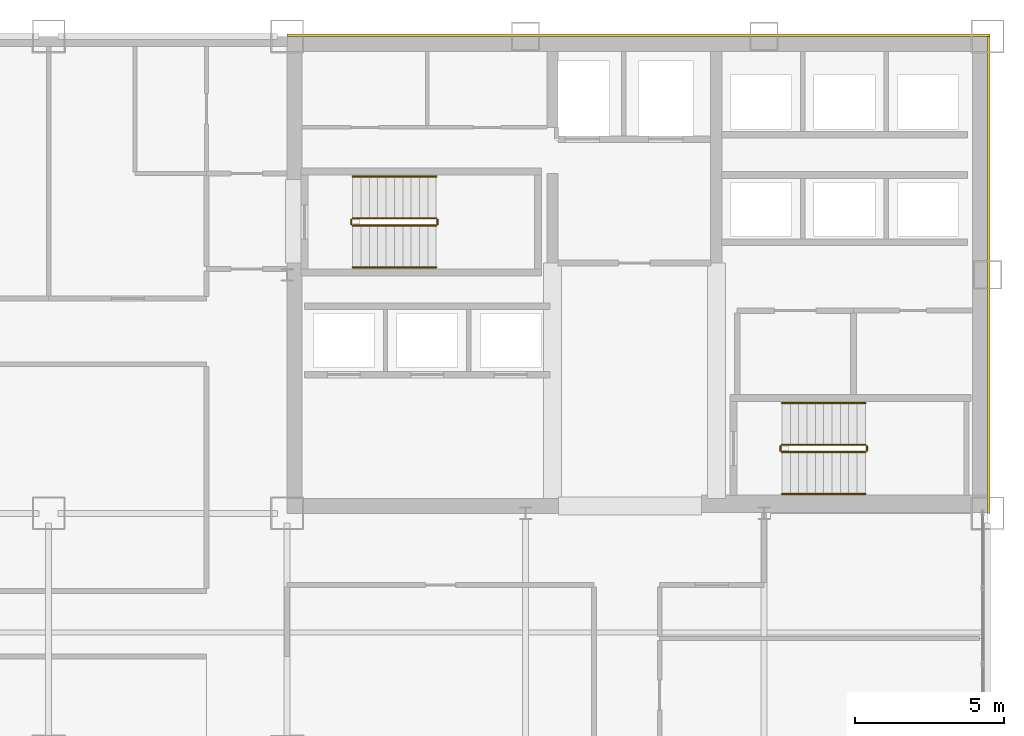
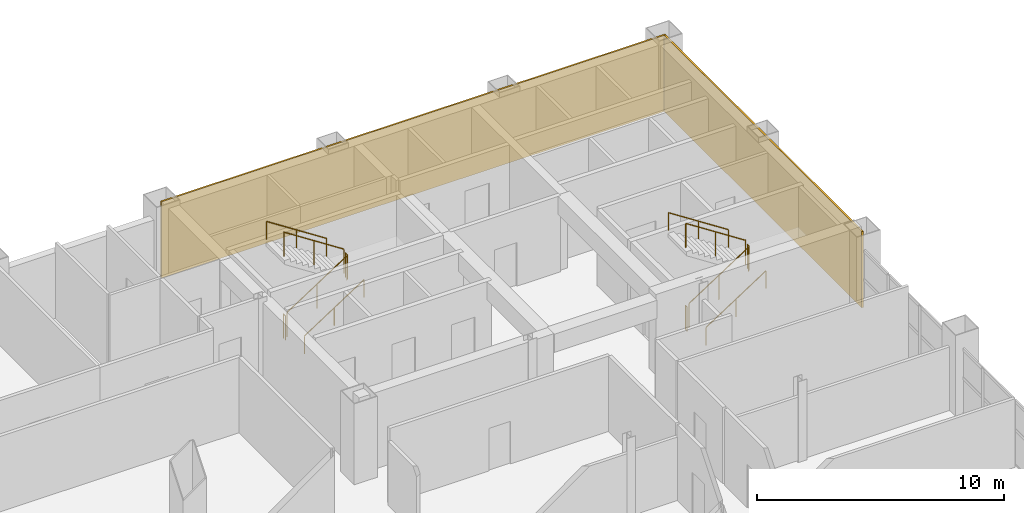
# One storey, part 16 of 16: 12 railings, 2 coverings.
"""IFC4 building model written with IfcOpenShell, lengths in metres."""

from ifc_helpers import new_model, si_unit, direction, frame, origin, origin_2d, place, context, subcontext, project, spatial, rectangle, circle, extrude, material, layer, layer_set, type_object, element, save


model = new_model("IFC4")

# Units and contexts
model_context = context("Model", 3, precision=1e-05, world=origin(), true_north=direction((0.0, 1.0)))
body_context = subcontext(model_context, "Body", "Model", "MODEL_VIEW")
ifc_project = project(units=[si_unit("LENGTHUNIT", "METRE"), si_unit("AREAUNIT", "SQUARE_METRE"), si_unit("VOLUMEUNIT", "CUBIC_METRE"), si_unit("PLANEANGLEUNIT", "RADIAN"), si_unit("MASSUNIT", "GRAM", prefix="KILO")], contexts=[model_context])

# Site, building, storey
site_placement = place(None, origin())
site = spatial("IfcSite", under=ifc_project, at=site_placement, CompositionType="ELEMENT")
building_placement = place(site_placement, origin())
building = spatial("IfcBuilding", under=site, at=building_placement, Name="Qianrong Seaharbour Tower", CompositionType="ELEMENT")
storey_placement = place(building_placement, frame((0.0, 0.0, 119.0)))
storey = spatial("IfcBuildingStorey", under=building, at=storey_placement, Name="L28", CompositionType="ELEMENT", Elevation=119.0)

# Coverings
ifc_material_1 = material(Name="Unitised red brick cladding on Precast concrete C45/55", Category="masonry")
ifc_layer = layer(ifc_material_1, 0.080078125)
ifc_layer_set = layer_set([ifc_layer], Name="Unitised red brick cladding on Precast concrete C45/55")
covering_type = type_object("IfcCoveringType", Name="COV-CLAD-RED-BRICK-80", PredefinedType="CLADDING", material=ifc_layer_set)
covering_1_placement = place(storey_placement, frame((52.2900390625, 52.0400390625, 0.0), z_axis=(0.0, 0.0, 1.0), x_axis=(1.0, 0.0, 0.0)))
element("IfcCovering", 1, at=covering_1_placement, inside=storey, type_object=covering_type, Name="L28 North Core Brick Veneer Cladding", PredefinedType="CLADDING", context=body_context, shape_type="SweptSolid", body=[
    extrude(rectangle(XDim=23.580078125, YDim=0.080078125, at=origin_2d()), origin(), (0.0, 0.0, 1.0), 3.764892578125),
])
covering_2_placement = place(storey_placement, frame((64.0400390625, 44.0, 0.0), z_axis=(0.0, 0.0, 1.0), x_axis=(1.0, 0.0, 0.0)))
element("IfcCovering", 2, at=covering_2_placement, inside=storey, type_object=covering_type, Name="L28 East Core Brick Veneer Cladding", PredefinedType="CLADDING", context=body_context, shape_type="SweptSolid", body=[
    extrude(rectangle(XDim=0.080078125, YDim=16.0, at=origin_2d()), origin(), (0.0, 0.0, 1.0), 3.764892578125),
])

# Railings
ifc_material_2 = material(Name="Galvanized painted steel SN400B stair guard", Category="steel")
railing_type_1 = type_object("IfcRailingType", Name="RAIL-STAIR-GUARD-1220", PredefinedType="GUARDRAIL", material=ifc_material_2)
railing_1_placement = place(storey_placement, frame((42.699951171875, 45.64990234375, 0.181884765625)))
element("IfcRailing", 3, at=railing_1_placement, inside=storey, type_object=railing_type_1, Name="L28 ST-1 stair guard 1", PredefinedType="GUARDRAIL", context=body_context, shape_type="SweptSolid", body=[
    extrude(circle(Radius=0.02392578125, at=origin_2d()), frame((0.0, 0.0, 1.19580078125), z_axis=(0.838705829183, 0.0, 0.544584733623), x_axis=(0.0, 1.0, 0.0)), (0.0, 0.0, 1.0), 3.338623046875),
    extrude(circle(Radius=0.02099609375, at=origin_2d()), origin(), (0.0, 0.0, 1.0), 1.171875),
    extrude(circle(Radius=0.02099609375, at=origin_2d()), frame((1.39990234375, 0.0, 0.9091796875)), (0.0, 0.0, 1.0), 1.171875),
    extrude(circle(Radius=0.02099609375, at=origin_2d()), frame((2.800048828125, 0.0, 1.818115234375)), (0.0, 0.0, 1.0), 1.171875),
])
railing_2_placement = place(storey_placement, frame((45.550048828125, 45.699951171875, 2.0)))
element("IfcRailing", 4, at=railing_2_placement, inside=storey, type_object=railing_type_1, Name="L28 ST-1 stair guard 2", PredefinedType="GUARDRAIL", context=body_context, shape_type="SweptSolid", body=[
    extrude(circle(Radius=0.02392578125, at=origin_2d()), frame((0.0, 0.0, 1.19580078125), z_axis=(0.0, 1.0, 0.0), x_axis=(-1.0, 0.0, 0.0)), (0.0, 0.0, 1.0), 0.150146484375),
    extrude(circle(Radius=0.02099609375, at=origin_2d()), origin(), (0.0, 0.0, 1.0), 1.171875),
    extrude(circle(Radius=0.02099609375, at=origin_2d()), frame((0.0, 0.150146484375, 0.0)), (0.0, 0.0, 1.0), 1.171875),
])
railing_3_placement = place(storey_placement, frame((45.5, 45.89990234375, 2.181884765625)))
element("IfcRailing", 5, at=railing_3_placement, inside=storey, type_object=railing_type_1, Name="L28 ST-1 stair guard 3", PredefinedType="GUARDRAIL", context=body_context, shape_type="SweptSolid", body=[
    extrude(circle(Radius=0.02392578125, at=origin_2d()), frame((0.0, 0.0, 1.19580078125), z_axis=(-0.838705829183, 0.0, 0.544584733623), x_axis=(0.0, -1.0, 0.0)), (0.0, 0.0, 1.0), 3.338623046875),
    extrude(circle(Radius=0.02099609375, at=origin_2d()), origin(), (0.0, 0.0, 1.0), 1.171875),
    extrude(circle(Radius=0.02099609375, at=origin_2d()), frame((-1.39990234375, 0.0, 0.9091796875)), (0.0, 0.0, 1.0), 1.171875),
    extrude(circle(Radius=0.02099609375, at=origin_2d()), frame((-2.800048828125, 0.0, 1.818115234375)), (0.0, 0.0, 1.0), 1.171875),
])
railing_4_placement = place(storey_placement, frame((42.64990234375, 45.699951171875, 0.0)))
element("IfcRailing", 6, at=railing_4_placement, inside=storey, type_object=railing_type_1, Name="L28 ST-1 stair guard 4", PredefinedType="GUARDRAIL", context=body_context, shape_type="SweptSolid", body=[
    extrude(circle(Radius=0.02392578125, at=origin_2d()), frame((0.0, 0.0, 1.19580078125), z_axis=(0.0, 1.0, 0.0), x_axis=(-1.0, 0.0, 0.0)), (0.0, 0.0, 1.0), 0.150146484375),
    extrude(circle(Radius=0.02099609375, at=origin_2d()), origin(), (0.0, 0.0, 1.0), 1.171875),
    extrude(circle(Radius=0.02099609375, at=origin_2d()), frame((0.0, 0.150146484375, 0.0)), (0.0, 0.0, 1.0), 1.171875),
])
railing_5_placement = place(storey_placement, frame((57.10009765625, 38.050048828125, 0.181884765625)))
element("IfcRailing", 7, at=railing_5_placement, inside=storey, type_object=railing_type_1, Name="L28 ST-2 stair guard 1", PredefinedType="GUARDRAIL", context=body_context, shape_type="SweptSolid", body=[
    extrude(circle(Radius=0.02392578125, at=origin_2d()), frame((0.0, 0.0, 1.19580078125), z_axis=(0.83868413941, 0.0, 0.544618136222), x_axis=(0.0, 1.0, 0.0)), (0.0, 0.0, 1.0), 3.33837890625),
    extrude(circle(Radius=0.02099609375, at=origin_2d()), origin(), (0.0, 0.0, 1.0), 1.171875),
    extrude(circle(Radius=0.02099609375, at=origin_2d()), frame((1.39990234375, 0.0, 0.9091796875)), (0.0, 0.0, 1.0), 1.171875),
    extrude(circle(Radius=0.02099609375, at=origin_2d()), frame((2.7998046875, 0.0, 1.818115234375)), (0.0, 0.0, 1.0), 1.171875),
])
railing_6_placement = place(storey_placement, frame((59.949951171875, 38.10009765625, 2.0)))
element("IfcRailing", 8, at=railing_6_placement, inside=storey, type_object=railing_type_1, Name="L28 ST-2 stair guard 2", PredefinedType="GUARDRAIL", context=body_context, shape_type="SweptSolid", body=[
    extrude(circle(Radius=0.02392578125, at=origin_2d()), frame((0.0, 0.0, 1.19580078125), z_axis=(0.0, 1.0, 0.0), x_axis=(-1.0, 0.0, 0.0)), (0.0, 0.0, 1.0), 0.14990234375),
    extrude(circle(Radius=0.02099609375, at=origin_2d()), origin(), (0.0, 0.0, 1.0), 1.171875),
    extrude(circle(Radius=0.02099609375, at=origin_2d()), frame((0.0, 0.14990234375, 0.0)), (0.0, 0.0, 1.0), 1.171875),
])
railing_7_placement = place(storey_placement, frame((59.89990234375, 38.300048828125, 2.181884765625)))
element("IfcRailing", 9, at=railing_7_placement, inside=storey, type_object=railing_type_1, Name="L28 ST-2 stair guard 3", PredefinedType="GUARDRAIL", context=body_context, shape_type="SweptSolid", body=[
    extrude(circle(Radius=0.02392578125, at=origin_2d()), frame((0.0, 0.0, 1.19580078125), z_axis=(-0.83868413941, 0.0, 0.544618136222), x_axis=(0.0, -1.0, 0.0)), (0.0, 0.0, 1.0), 3.33837890625),
    extrude(circle(Radius=0.02099609375, at=origin_2d()), origin(), (0.0, 0.0, 1.0), 1.171875),
    extrude(circle(Radius=0.02099609375, at=origin_2d()), frame((-1.39990234375, 0.0, 0.9091796875)), (0.0, 0.0, 1.0), 1.171875),
    extrude(circle(Radius=0.02099609375, at=origin_2d()), frame((-2.7998046875, 0.0, 1.818115234375)), (0.0, 0.0, 1.0), 1.171875),
])
railing_8_placement = place(storey_placement, frame((57.050048828125, 38.10009765625, 0.0)))
element("IfcRailing", 10, at=railing_8_placement, inside=storey, type_object=railing_type_1, Name="L28 ST-2 stair guard 4", PredefinedType="GUARDRAIL", context=body_context, shape_type="SweptSolid", body=[
    extrude(circle(Radius=0.02392578125, at=origin_2d()), frame((0.0, 0.0, 1.19580078125), z_axis=(0.0, 1.0, 0.0), x_axis=(-1.0, 0.0, 0.0)), (0.0, 0.0, 1.0), 0.14990234375),
    extrude(circle(Radius=0.02099609375, at=origin_2d()), origin(), (0.0, 0.0, 1.0), 1.171875),
    extrude(circle(Radius=0.02099609375, at=origin_2d()), frame((0.0, 0.14990234375, 0.0)), (0.0, 0.0, 1.0), 1.171875),
])
ifc_material_3 = material(Name="Stainless steel SUS316L continuous handrail", Category="steel")
railing_type_2 = type_object("IfcRailingType", Name="RAIL-STAIR-HANDRAIL-900", PredefinedType="HANDRAIL", material=ifc_material_3)
railing_9_placement = place(storey_placement, frame((42.699951171875, 44.25, 0.181884765625)))
element("IfcRailing", 11, at=railing_9_placement, inside=storey, type_object=railing_type_2, Name="L28 ST-1 stair handrail 1", PredefinedType="HANDRAIL", context=body_context, shape_type="SweptSolid", body=[
    extrude(circle(Radius=0.02392578125, at=origin_2d()), frame((0.0, 0.0, 0.8759765625), z_axis=(0.838705829183, 0.0, 0.544584733623), x_axis=(0.0, 1.0, 0.0)), (0.0, 0.0, 1.0), 3.338623046875),
    extrude(circle(Radius=0.02099609375, at=origin_2d()), origin(), (0.0, 0.0, 1.0), 0.851806640625),
    extrude(circle(Radius=0.02099609375, at=origin_2d()), frame((1.39990234375, 0.0, 0.9091796875)), (0.0, 0.0, 1.0), 0.851806640625),
    extrude(circle(Radius=0.02099609375, at=origin_2d()), frame((2.800048828125, 0.0, 1.818115234375)), (0.0, 0.0, 1.0), 0.851806640625),
])
railing_10_placement = place(storey_placement, frame((45.5, 47.300048828125, 2.181884765625)))
element("IfcRailing", 12, at=railing_10_placement, inside=storey, type_object=railing_type_2, Name="L28 ST-1 stair handrail 2", PredefinedType="HANDRAIL", context=body_context, shape_type="SweptSolid", body=[
    extrude(circle(Radius=0.02392578125, at=origin_2d()), frame((0.0, 0.0, 0.8759765625), z_axis=(-0.838705829183, 0.0, 0.544584733623), x_axis=(0.0, -1.0, 0.0)), (0.0, 0.0, 1.0), 3.338623046875),
    extrude(circle(Radius=0.02099609375, at=origin_2d()), origin(), (0.0, 0.0, 1.0), 0.851806640625),
    extrude(circle(Radius=0.02099609375, at=origin_2d()), frame((-1.39990234375, 0.0, 0.9091796875)), (0.0, 0.0, 1.0), 0.851806640625),
    extrude(circle(Radius=0.02099609375, at=origin_2d()), frame((-2.800048828125, 0.0, 1.818115234375)), (0.0, 0.0, 1.0), 0.851806640625),
])
railing_11_placement = place(storey_placement, frame((57.10009765625, 36.64990234375, 0.181884765625)))
element("IfcRailing", 13, at=railing_11_placement, inside=storey, type_object=railing_type_2, Name="L28 ST-2 stair handrail 1", PredefinedType="HANDRAIL", context=body_context, shape_type="SweptSolid", body=[
    extrude(circle(Radius=0.02392578125, at=origin_2d()), frame((0.0, 0.0, 0.8759765625), z_axis=(0.83868413941, 0.0, 0.544618136222), x_axis=(0.0, 1.0, 0.0)), (0.0, 0.0, 1.0), 3.33837890625),
    extrude(circle(Radius=0.02099609375, at=origin_2d()), origin(), (0.0, 0.0, 1.0), 0.851806640625),
    extrude(circle(Radius=0.02099609375, at=origin_2d()), frame((1.39990234375, 0.0, 0.9091796875)), (0.0, 0.0, 1.0), 0.851806640625),
    extrude(circle(Radius=0.02099609375, at=origin_2d()), frame((2.7998046875, 0.0, 1.818115234375)), (0.0, 0.0, 1.0), 0.851806640625),
])
railing_12_placement = place(storey_placement, frame((59.89990234375, 39.699951171875, 2.181884765625)))
element("IfcRailing", 14, at=railing_12_placement, inside=storey, type_object=railing_type_2, Name="L28 ST-2 stair handrail 2", PredefinedType="HANDRAIL", context=body_context, shape_type="SweptSolid", body=[
    extrude(circle(Radius=0.02392578125, at=origin_2d()), frame((0.0, 0.0, 0.8759765625), z_axis=(-0.83868413941, 0.0, 0.544618136222), x_axis=(0.0, -1.0, 0.0)), (0.0, 0.0, 1.0), 3.33837890625),
    extrude(circle(Radius=0.02099609375, at=origin_2d()), origin(), (0.0, 0.0, 1.0), 0.851806640625),
    extrude(circle(Radius=0.02099609375, at=origin_2d()), frame((-1.39990234375, 0.0, 0.9091796875)), (0.0, 0.0, 1.0), 0.851806640625),
    extrude(circle(Radius=0.02099609375, at=origin_2d()), frame((-2.7998046875, 0.0, 1.818115234375)), (0.0, 0.0, 1.0), 0.851806640625),
])

save(model, "model.ifc")
